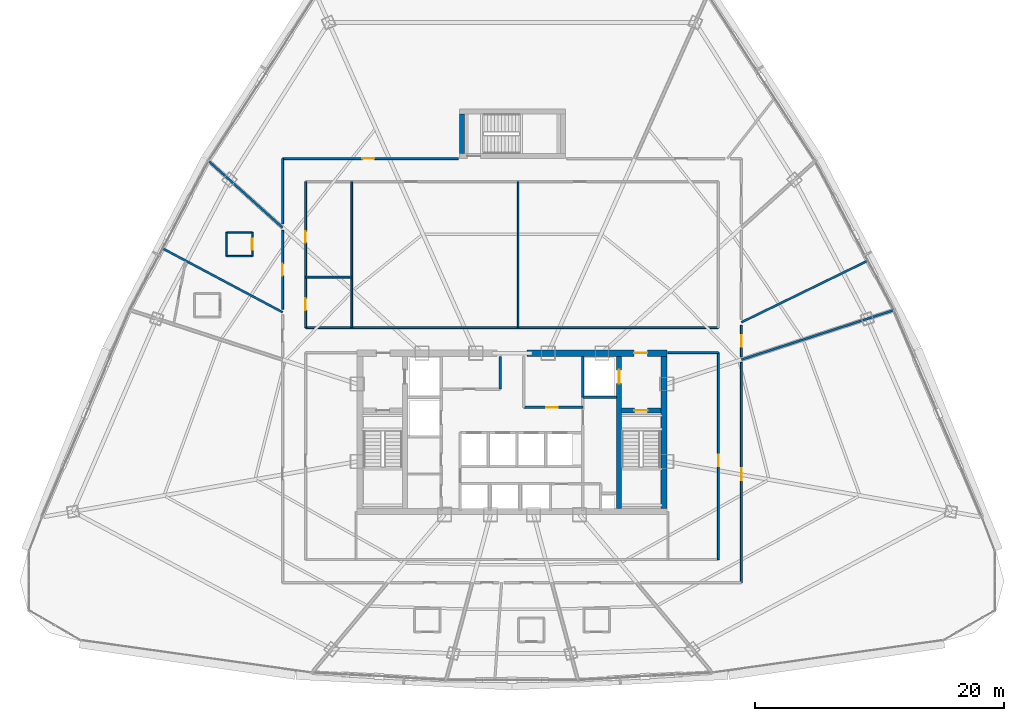
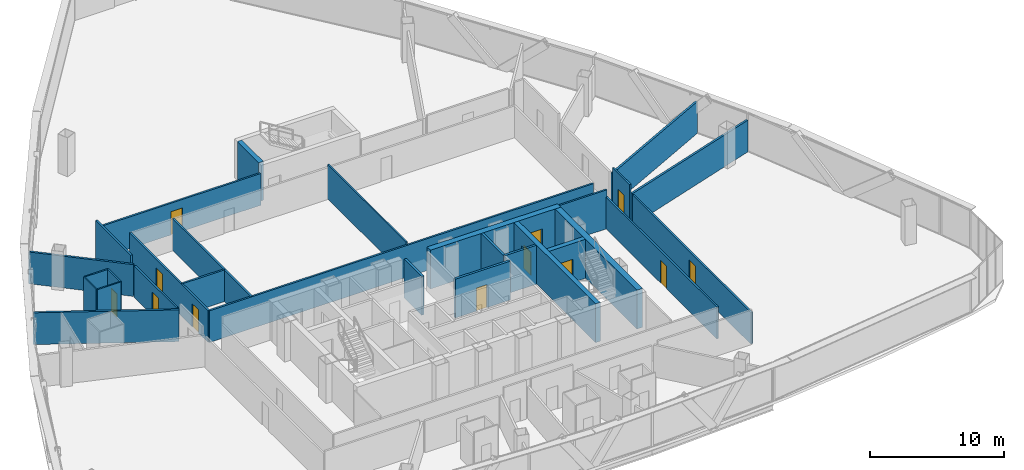
# One storey, part 34 of 40: 29 walls, 12 doors, 12 openings.
"""IFC4 building model written with IfcOpenShell, lengths in metres."""

from ifc_helpers import new_model, si_unit, direction, frame, frame_2d, origin, origin_with_axes, place, context, subcontext, project, spatial, rectangle, extrude, source, transform, mapped, material, layer, layer_set, type_object, element, fill, save


model = new_model("IFC4")

# Units and contexts
model_context = context("Model", 3, precision=1e-05, world=origin(), true_north=direction((0.0, 1.0)))
body_context = subcontext(model_context, "Body", "Model", "MODEL_VIEW")
ifc_project = project(units=[si_unit("LENGTHUNIT", "METRE"), si_unit("AREAUNIT", "SQUARE_METRE"), si_unit("VOLUMEUNIT", "CUBIC_METRE"), si_unit("PLANEANGLEUNIT", "RADIAN"), si_unit("MASSUNIT", "GRAM", prefix="KILO"), si_unit("THERMODYNAMICTEMPERATUREUNIT", "KELVIN"), si_unit("POWERUNIT", "WATT")], contexts=[model_context])

# Site, building, storey
site_placement = place(None, origin())
site = spatial("IfcSite", under=ifc_project, at=site_placement, CompositionType="ELEMENT")
building_placement = place(site_placement, origin())
building = spatial("IfcBuilding", under=site, at=building_placement, Name="Yunzhuo Pagoda Commons", CompositionType="ELEMENT")
storey_placement = place(building_placement, frame((0.0, 0.0, 184.760009765625)))
storey = spatial("IfcBuildingStorey", under=building, at=storey_placement, Name="L46", CompositionType="ELEMENT", Elevation=184.760009765625)

# Wall, opening, door
ifc_material_1 = material(Name="Concrete C50", Category="concrete")
ifc_layer_1 = layer(ifc_material_1, 0.5)
ifc_layer_set_1 = layer_set([ifc_layer_1], Name="Concrete C50")
wall_type_1 = type_object("IfcWallType", Name="W-C03 Upper Core Shear Wall 500", PredefinedType="SHEAR", material=ifc_layer_set_1)
wall_1_placement = place(storey_placement, frame((49.199951171875, 40.199951171875, 0.0), z_axis=(0.0, 0.0, 1.0), x_axis=(1.0, 0.0, 0.0)))
wall_1 = element("IfcWall", 1, at=wall_1_placement, inside=storey, type_object=wall_type_1, Name="L46 core shear wall NE", PredefinedType="SHEAR", context=body_context, shape_type="SweptSolid", body=[
    extrude(rectangle(XDim=11.25, YDim=0.5, at=frame_2d((5.625, 0.0))), origin(), (0.0, 0.0, 1.0), 3.5400390625),
])
opening_1_placement = place(wall_1_placement, frame((8.60009765625, 0.0, 0.0)))
opening_1 = element("IfcOpeningElement", 2, at=opening_1_placement, cuts=wall_1, Name="Opening D-02", PredefinedType="OPENING", context=body_context, shape_type="SweptSolid", body=[
    extrude(rectangle(XDim=1.050048828125, YDim=2.10009765625, at=frame_2d((0.52490234375, 1.050048828125))), frame((0.0, 0.260009765625, 0.0), z_axis=(0.0, -1.0, 0.0), x_axis=(1.0, 0.0, 0.0)), (0.0, 0.0, 1.0), 0.52001953125),
])
ifc_material_2 = material(Name="Galvanized fire-resisting metal leaf")
door_type_1 = type_object("IfcDoorType", Name="D-02 Firefighting Lobby & Refuge Fire Door 1050x2100", OperationType="NOTDEFINED", PredefinedType="DOOR", material=ifc_material_2)
shared_shape_1 = source(origin(), body_context, "Body", "SweptSolid", [
    extrude(rectangle(XDim=1.050048828125, YDim=2.10009765625, at=frame_2d((0.52490234375, 1.050048828125))), frame((0.0, 0.02490234375, 0.0), z_axis=(0.0, -1.0, 0.0), x_axis=(1.0, 0.0, 0.0)), (0.0, 0.0, 1.0), 0.050048828125),
])
door_1_placement = place(opening_1_placement, frame((1.050048828125, 0.0, 0.0), z_axis=(0.0, 0.0, 1.0), x_axis=(-1.0, 0.0, 0.0)))
door_1 = element("IfcDoor", 3, at=door_1_placement, inside=storey, type_object=door_type_1, Name="L46 Firefighting Lobby 2 fire door", OperationType="SINGLE_SWING_RIGHT", OverallHeight=2.10009765625, OverallWidth=1.050048828125, PredefinedType="DOOR", context=body_context, shape_type="MappedRepresentation", body=[
    mapped(shared_shape_1, transform((0.0, 0.0, 0.0), scale=1.0)),
])
fill(opening_1, door_1)

# Walls
wall_2_placement = place(storey_placement, frame((60.199951171875, 27.75, 0.0), z_axis=(0.0, 0.0, 1.0), x_axis=(0.0, 1.0, 0.0)))
element("IfcWall", 4, at=wall_2_placement, inside=storey, type_object=wall_type_1, Name="L46 core shear wall E", PredefinedType="SHEAR", context=body_context, shape_type="SweptSolid", body=[
    extrude(rectangle(XDim=12.199951171875, YDim=0.5, at=frame_2d((6.10009765625, 0.0))), origin(), (0.0, 0.0, 1.0), 3.5400390625),
])
ifc_material_3 = material(Name="Gypsum plasterboard on acoustic stud")
ifc_layer_2 = layer(ifc_material_3, 0.155029296875)
ifc_layer_set_2 = layer_set([ifc_layer_2], Name="Gypsum plasterboard on acoustic stud")
wall_type_2 = type_object("IfcWallType", Name="W-COR2 Mid-Zone Rated Corridor Wall 155", PredefinedType="PARTITIONING", material=ifc_layer_set_2)
wall_3_placement = place(storey_placement, frame((31.449951171875, 42.25, 0.0), z_axis=(0.0, 0.0, 1.0), x_axis=(1.0, 0.0, 0.0)))
element("IfcWall", 5, at=wall_3_placement, inside=storey, type_object=wall_type_2, Name="L46 interior wall IW-L46-MCNS", PredefinedType="PARTITIONING", context=body_context, shape_type="SweptSolid", body=[
    extrude(rectangle(XDim=33.10009765625, YDim=0.155029296875, at=frame_2d((16.550048828125, 0.0))), origin(), (0.0, 0.0, 1.0), 2.889892578125),
])

# Wall, openings, doors
wall_4_placement = place(storey_placement, frame((31.449951171875, 42.25, 0.0), z_axis=(0.0, 0.0, 1.0), x_axis=(0.0, 1.0, 0.0)))
wall_4 = element("IfcWall", 6, at=wall_4_placement, inside=storey, type_object=wall_type_2, Name="L46 interior wall IW-L46-MCNW", PredefinedType="PARTITIONING", context=body_context, shape_type="SweptSolid", body=[
    extrude(rectangle(XDim=11.699951171875, YDim=0.155029296875, at=frame_2d((5.85009765625, 0.0))), origin(), (0.0, 0.0, 1.0), 2.889892578125),
])
opening_2_placement = place(wall_4_placement, frame((1.39990234375, 0.0, 0.0)))
opening_2 = element("IfcOpeningElement", 7, at=opening_2_placement, cuts=wall_4, Name="Opening D-11", PredefinedType="OPENING", context=body_context, shape_type="SweptSolid", body=[
    extrude(rectangle(XDim=0.93994140625, YDim=2.10009765625, at=frame_2d((0.469970703125, 1.050048828125))), frame((0.0, 0.08740234375, 0.0), z_axis=(0.0, -1.0, 0.0), x_axis=(1.0, 0.0, 0.0)), (0.0, 0.0, 1.0), 0.175048828125),
])
opening_3_placement = place(wall_4_placement, frame((6.800048828125, 0.0, 0.0)))
opening_3 = element("IfcOpeningElement", 8, at=opening_3_placement, cuts=wall_4, Name="Opening D-04", PredefinedType="OPENING", context=body_context, shape_type="SweptSolid", body=[
    extrude(rectangle(XDim=0.919921875, YDim=2.10009765625, at=frame_2d((0.4599609375, 1.050048828125))), frame((0.0, 0.08740234375, 0.0), z_axis=(0.0, -1.0, 0.0), x_axis=(1.0, 0.0, 0.0)), (0.0, 0.0, 1.0), 0.175048828125),
])
door_type_2 = type_object("IfcDoorType", Name="D-11 Accessible Washroom Fire Door 940x2100", OperationType="NOTDEFINED", PredefinedType="DOOR", material=ifc_material_2)
shared_shape_2 = source(origin(), body_context, "Body", "SweptSolid", [
    extrude(rectangle(XDim=0.93994140625, YDim=2.10009765625, at=frame_2d((0.469970703125, 1.050048828125))), frame((0.0, 0.02490234375, 0.0), z_axis=(0.0, -1.0, 0.0), x_axis=(1.0, 0.0, 0.0)), (0.0, 0.0, 1.0), 0.050048828125),
])
door_2_placement = place(opening_2_placement, origin_with_axes())
door_2 = element("IfcDoor", 9, at=door_2_placement, inside=storey, type_object=door_type_2, Name="L46 accessible WC door", OperationType="SINGLE_SWING_LEFT", OverallHeight=2.10009765625, OverallWidth=0.93994140625, PredefinedType="DOOR", context=body_context, shape_type="MappedRepresentation", body=[
    mapped(shared_shape_2, transform((0.0, 0.0, 0.0), scale=1.0)),
])
fill(opening_2, door_2)
ifc_material_4 = material(Name="Powder-coated aluminium and timber acoustic leaf", Category="wood")
door_type_3 = type_object("IfcDoorType", Name="D-04 Bedroom & Study Interior Door 920x2100", OperationType="NOTDEFINED", PredefinedType="DOOR", material=ifc_material_4)
shared_shape_3 = source(origin(), body_context, "Body", "SweptSolid", [
    extrude(rectangle(XDim=0.919921875, YDim=2.10009765625, at=frame_2d((0.4599609375, 1.050048828125))), frame((0.0, 0.02490234375, 0.0), z_axis=(0.0, -1.0, 0.0), x_axis=(1.0, 0.0, 0.0)), (0.0, 0.0, 1.0), 0.050048828125),
])
door_3_placement = place(opening_3_placement, origin_with_axes())
door_3 = element("IfcDoor", 10, at=door_3_placement, inside=storey, type_object=door_type_3, Name="L46 laundry door", OperationType="SINGLE_SWING_RIGHT", OverallHeight=2.10009765625, OverallWidth=0.919921875, PredefinedType="DOOR", context=body_context, shape_type="MappedRepresentation", body=[
    mapped(shared_shape_3, transform((0.0, 0.0, 0.0), scale=1.0)),
])
fill(opening_3, door_3)

# Walls
wall_5_placement = place(storey_placement, frame((35.14990234375, 42.25, 0.0), z_axis=(0.0, 0.0, 1.0), x_axis=(0.0, 1.0, 0.0)))
element("IfcWall", 11, at=wall_5_placement, inside=storey, type_object=wall_type_2, Name="L46 interior wall IW-L46-MCWCE", PredefinedType="PARTITIONING", context=body_context, shape_type="SweptSolid", body=[
    extrude(rectangle(XDim=11.699951171875, YDim=0.155029296875, at=frame_2d((5.85009765625, 0.0))), origin(), (0.0, 0.0, 1.0), 2.889892578125),
])
wall_6_placement = place(storey_placement, frame((31.449951171875, 46.300048828125, 0.0), z_axis=(0.0, 0.0, 1.0), x_axis=(1.0, 0.0, 0.0)))
element("IfcWall", 12, at=wall_6_placement, inside=storey, type_object=wall_type_2, Name="L46 interior wall IW-L46-MCWCN", PredefinedType="PARTITIONING", context=body_context, shape_type="SweptSolid", body=[
    extrude(rectangle(XDim=3.699951171875, YDim=0.155029296875, at=frame_2d((1.85009765625, 0.0))), origin(), (0.0, 0.0, 1.0), 2.889892578125),
])

# Wall, opening, door
wall_7_placement = place(storey_placement, frame((64.550048828125, 23.64990234375, 0.0), z_axis=(0.0, 0.0, 1.0), x_axis=(0.0, 1.0, 0.0)))
wall_7 = element("IfcWall", 13, at=wall_7_placement, inside=storey, type_object=wall_type_2, Name="L46 interior wall IW-L46-SFLE", PredefinedType="PARTITIONING", context=body_context, shape_type="SweptSolid", body=[
    extrude(rectangle(XDim=16.60009765625, YDim=0.155029296875, at=frame_2d((8.300048828125, 0.0))), origin(), (0.0, 0.0, 1.0), 2.889892578125),
])
opening_4_placement = place(wall_7_placement, frame((7.5, 0.0, 0.0)))
opening_4 = element("IfcOpeningElement", 14, at=opening_4_placement, cuts=wall_7, Name="Opening D-12", PredefinedType="OPENING", context=body_context, shape_type="SweptSolid", body=[
    extrude(rectangle(XDim=0.89990234375, YDim=2.080078125, at=frame_2d((0.449951171875, 1.0400390625))), frame((0.0, 0.08740234375, 0.0), z_axis=(0.0, -1.0, 0.0), x_axis=(1.0, 0.0, 0.0)), (0.0, 0.0, 1.0), 0.175048828125),
])
door_type_4 = type_object("IfcDoorType", Name="D-12 Quiet Study Interior Door 900x2080", OperationType="NOTDEFINED", PredefinedType="DOOR", material=ifc_material_4)
shared_shape_4 = source(origin(), body_context, "Body", "SweptSolid", [
    extrude(rectangle(XDim=0.89990234375, YDim=2.080078125, at=frame_2d((0.449951171875, 1.0400390625))), frame((0.0, 0.02490234375, 0.0), z_axis=(0.0, -1.0, 0.0), x_axis=(1.0, 0.0, 0.0)), (0.0, 0.0, 1.0), 0.050048828125),
])
door_4_placement = place(opening_4_placement, frame((0.89990234375, 0.0, 0.0), z_axis=(0.0, 0.0, 1.0), x_axis=(-1.0, 0.0, 0.0)))
door_4 = element("IfcDoor", 15, at=door_4_placement, inside=storey, type_object=door_type_4, Name="L46 east study workroom door", OperationType="SINGLE_SWING_RIGHT", OverallHeight=2.080078125, OverallWidth=0.89990234375, PredefinedType="DOOR", context=body_context, shape_type="MappedRepresentation", body=[
    mapped(shared_shape_4, transform((0.0, 0.0, 0.0), scale=1.0)),
])
fill(opening_4, door_4)

# Wall
wall_8_placement = place(storey_placement, frame((60.5, 40.25, 0.0), z_axis=(0.0, 0.0, 1.0), x_axis=(1.0, 0.0, 0.0)))
element("IfcWall", 16, at=wall_8_placement, inside=storey, type_object=wall_type_2, Name="L46 interior wall IW-L46-SFLNE", PredefinedType="PARTITIONING", context=body_context, shape_type="SweptSolid", body=[
    extrude(rectangle(XDim=4.050048828125, YDim=0.155029296875, at=frame_2d((2.02490234375, 0.0))), origin(), (0.0, 0.0, 1.0), 3.5400390625),
])

# Wall, opening, door
wall_9_placement = place(storey_placement, frame((29.60009765625, 43.732666015625, 0.0), z_axis=(0.0, 0.0, 1.0), x_axis=(0.0, 1.0, 0.0)))
wall_9 = element("IfcWall", 17, at=wall_9_placement, inside=storey, type_object=wall_type_2, Name="L46 interior wall IW-L46-CWL03", PredefinedType="PARTITIONING", context=body_context, shape_type="SweptSolid", body=[
    extrude(rectangle(XDim=6.31494140625, YDim=0.155029296875, at=frame_2d((3.157470703125, 0.0))), origin(), (0.0, 0.0, 1.0), 2.889892578125),
])
opening_5_placement = place(wall_9_placement, frame((2.667724609375, 0.0, 0.0)))
opening_5 = element("IfcOpeningElement", 18, at=opening_5_placement, cuts=wall_9, Name="Opening D-07", PredefinedType="OPENING", context=body_context, shape_type="SweptSolid", body=[
    extrude(rectangle(XDim=0.9599609375, YDim=2.1201171875, at=frame_2d((0.47998046875, 1.06005859375))), frame((0.0, 0.08740234375, 0.0), z_axis=(0.0, -1.0, 0.0), x_axis=(1.0, 0.0, 0.0)), (0.0, 0.0, 1.0), 0.175048828125),
])
door_type_5 = type_object("IfcDoorType", Name="D-07 Mid-Zone Suite Entrance Fire Door 960x2120", OperationType="NOTDEFINED", PredefinedType="DOOR", material=ifc_material_2)
shared_shape_5 = source(origin(), body_context, "Body", "SweptSolid", [
    extrude(rectangle(XDim=0.9599609375, YDim=2.1201171875, at=frame_2d((0.47998046875, 1.06005859375))), frame((0.0, 0.02490234375, 0.0), z_axis=(0.0, -1.0, 0.0), x_axis=(1.0, 0.0, 0.0)), (0.0, 0.0, 1.0), 0.050048828125),
])
door_5_placement = place(opening_5_placement, origin_with_axes())
door_5 = element("IfcDoor", 19, at=door_5_placement, inside=storey, type_object=door_type_5, Name="L46 unit 06 entrance door", OperationType="SINGLE_SWING_RIGHT", OverallHeight=2.1201171875, OverallWidth=0.9599609375, PredefinedType="DOOR", context=body_context, shape_type="MappedRepresentation", body=[
    mapped(shared_shape_5, transform((0.0, 0.0, 0.0), scale=1.0)),
])
fill(opening_5, door_5)

# Wall
wall_10_placement = place(storey_placement, frame((29.60009765625, 50.5634765625, 0.0), z_axis=(0.0, 0.0, 1.0), x_axis=(0.0, 1.0, 0.0)))
element("IfcWall", 20, at=wall_10_placement, inside=storey, type_object=wall_type_2, Name="L46 interior wall IW-L46-CWL04", PredefinedType="PARTITIONING", context=body_context, shape_type="SweptSolid", body=[
    extrude(rectangle(XDim=5.236572265625, YDim=0.155029296875, at=frame_2d((2.6181640625, 0.0))), origin(), (0.0, 0.0, 1.0), 3.5400390625),
])

# Wall, opening, door
wall_11_placement = place(storey_placement, frame((29.60009765625, 55.800048828125, 0.0), z_axis=(0.0, 0.0, 1.0), x_axis=(1.0, 0.0, 0.0)))
wall_11 = element("IfcWall", 21, at=wall_11_placement, inside=storey, type_object=wall_type_2, Name="L46 interior wall IW-L46-CWL05", PredefinedType="PARTITIONING", context=body_context, shape_type="SweptSolid", body=[
    extrude(rectangle(XDim=14.10888671875, YDim=0.155029296875, at=frame_2d((7.054443359375, 0.0))), origin(), (0.0, 0.0, 1.0), 2.889892578125),
])
opening_6_placement = place(wall_11_placement, frame((6.385009765625, 0.0, 0.0)))
opening_6 = element("IfcOpeningElement", 22, at=opening_6_placement, cuts=wall_11, Name="Opening D-07", PredefinedType="OPENING", context=body_context, shape_type="SweptSolid", body=[
    extrude(rectangle(XDim=0.9599609375, YDim=2.1201171875, at=frame_2d((0.47998046875, 1.06005859375))), frame((0.0, 0.08740234375, 0.0), z_axis=(0.0, -1.0, 0.0), x_axis=(1.0, 0.0, 0.0)), (0.0, 0.0, 1.0), 0.175048828125),
])
door_6_placement = place(opening_6_placement, origin_with_axes())
door_6 = element("IfcDoor", 23, at=door_6_placement, inside=storey, type_object=door_type_5, Name="L46 Shared Resident Kitchen and Pantry door", OperationType="SINGLE_SWING_LEFT", OverallHeight=2.1201171875, OverallWidth=0.9599609375, PredefinedType="DOOR", context=body_context, shape_type="MappedRepresentation", body=[
    mapped(shared_shape_5, transform((0.0, 0.0, 0.0), scale=1.0)),
])
fill(opening_6, door_6)

wall_12_placement = place(storey_placement, frame((66.39990234375, 42.45458984375, 0.0), z_axis=(0.0, 0.0, 1.0), x_axis=(0.0, -1.0, 0.0)))
wall_12 = element("IfcWall", 24, at=wall_12_placement, inside=storey, type_object=wall_type_2, Name="L46 interior wall IW-L46-CWL11", PredefinedType="PARTITIONING", context=body_context, shape_type="SweptSolid", body=[
    extrude(rectangle(XDim=2.544677734375, YDim=0.155029296875, at=frame_2d((1.2724609375, 0.0))), origin(), (0.0, 0.0, 1.0), 3.5400390625),
])
opening_7_placement = place(wall_12_placement, frame((0.818115234375, 0.0, 0.0)))
opening_7 = element("IfcOpeningElement", 25, at=opening_7_placement, cuts=wall_12, Name="Opening D-04", PredefinedType="OPENING", context=body_context, shape_type="SweptSolid", body=[
    extrude(rectangle(XDim=0.919921875, YDim=2.10009765625, at=frame_2d((0.4599609375, 1.050048828125))), frame((0.0, 0.08740234375, 0.0), z_axis=(0.0, -1.0, 0.0), x_axis=(1.0, 0.0, 0.0)), (0.0, 0.0, 1.0), 0.175048828125),
])
door_7_placement = place(opening_7_placement, origin_with_axes())
door_7 = element("IfcDoor", 26, at=door_7_placement, inside=storey, type_object=door_type_3, Name="L46 seminar room 01 door", OperationType="SINGLE_SWING_LEFT", OverallHeight=2.10009765625, OverallWidth=0.919921875, PredefinedType="DOOR", context=body_context, shape_type="MappedRepresentation", body=[
    mapped(shared_shape_3, transform((0.0, 0.0, 0.0), scale=1.0)),
])
fill(opening_7, door_7)

wall_13_placement = place(storey_placement, frame((66.39990234375, 39.458740234375, 0.0), z_axis=(0.0, 0.0, 1.0), x_axis=(0.0, -1.0, 0.0)))
wall_13 = element("IfcWall", 27, at=wall_13_placement, inside=storey, type_object=wall_type_2, Name="L46 interior wall IW-L46-CWL12", PredefinedType="PARTITIONING", context=body_context, shape_type="SweptSolid", body=[
    extrude(rectangle(XDim=17.65869140625, YDim=0.155029296875, at=frame_2d((8.829345703125, 0.0))), origin(), (0.0, 0.0, 1.0), 2.889892578125),
])
opening_8_placement = place(wall_13_placement, frame((8.474365234375, 0.0, 0.0)))
opening_8 = element("IfcOpeningElement", 28, at=opening_8_placement, cuts=wall_13, Name="Opening D-07", PredefinedType="OPENING", context=body_context, shape_type="SweptSolid", body=[
    extrude(rectangle(XDim=0.9599609375, YDim=2.1201171875, at=frame_2d((0.47998046875, 1.06005859375))), frame((0.0, 0.08740234375, 0.0), z_axis=(0.0, -1.0, 0.0), x_axis=(1.0, 0.0, 0.0)), (0.0, 0.0, 1.0), 0.175048828125),
])
door_8_placement = place(opening_8_placement, origin_with_axes())
door_8 = element("IfcDoor", 29, at=door_8_placement, inside=storey, type_object=door_type_5, Name="L46 Academic Reading Commons 2 door", OperationType="SINGLE_SWING_LEFT", OverallHeight=2.1201171875, OverallWidth=0.9599609375, PredefinedType="DOOR", context=body_context, shape_type="MappedRepresentation", body=[
    mapped(shared_shape_5, transform((0.0, 0.0, 0.0), scale=1.0)),
])
fill(opening_8, door_8)

# Walls
ifc_layer_3 = layer(ifc_material_3, 0.1201171875)
ifc_layer_set_3 = layer_set([ifc_layer_3], Name="Gypsum plasterboard on acoustic stud")
wall_type_3 = type_object("IfcWallType", Name="W-PRT1 Suite & Bathroom Partition 120", PredefinedType="PARTITIONING", material=ifc_layer_set_3)
wall_14_placement = place(storey_placement, frame((48.5, 42.25, 0.0), z_axis=(0.0, 0.0, 1.0), x_axis=(0.0, 1.0, 0.0)))
element("IfcWall", 30, at=wall_14_placement, inside=storey, type_object=wall_type_3, Name="L46 interior wall IW-L46-MCDIV", PredefinedType="PARTITIONING", context=body_context, shape_type="SweptSolid", body=[
    extrude(rectangle(XDim=11.699951171875, YDim=0.1201171875, at=frame_2d((5.85009765625, 0.0))), origin(), (0.0, 0.0, 1.0), 3.139892578125),
])
wall_15_placement = place(storey_placement, frame((25.1201171875, 47.98388671875, 0.0), z_axis=(0.0, 0.0, 1.0), x_axis=(1.0, 0.0, 0.0)))
element("IfcWall", 31, at=wall_15_placement, inside=storey, type_object=wall_type_3, Name="L46 interior wall IW-L46-B06S", PredefinedType="PARTITIONING", context=body_context, shape_type="SweptSolid", body=[
    extrude(rectangle(XDim=2.0498046875, YDim=0.1201171875, at=frame_2d((1.02490234375, 0.0))), origin(), (0.0, 0.0, 1.0), 3.5400390625),
])

# Wall, opening, door
wall_16_placement = place(storey_placement, frame((27.169921875, 47.98388671875, 0.0), z_axis=(0.0, 0.0, 1.0), x_axis=(0.0, 1.0, 0.0)))
wall_16 = element("IfcWall", 32, at=wall_16_placement, inside=storey, type_object=wall_type_3, Name="L46 interior wall IW-L46-B06E", PredefinedType="PARTITIONING", context=body_context, shape_type="SweptSolid", body=[
    extrude(rectangle(XDim=1.900146484375, YDim=0.1201171875, at=frame_2d((0.9501953125, 0.0))), origin(), (0.0, 0.0, 1.0), 3.5400390625),
])
opening_9_placement = place(wall_16_placement, frame((0.52490234375, 0.0, 0.0)))
opening_9 = element("IfcOpeningElement", 33, at=opening_9_placement, cuts=wall_16, Name="Opening D-05", PredefinedType="OPENING", context=body_context, shape_type="SweptSolid", body=[
    extrude(rectangle(XDim=0.85009765625, YDim=2.10009765625, at=frame_2d((0.425048828125, 1.050048828125))), frame((0.0, 0.070068359375, 0.0), z_axis=(0.0, -1.0, 0.0), x_axis=(1.0, 0.0, 0.0)), (0.0, 0.0, 1.0), 0.14013671875),
])
door_type_6 = type_object("IfcDoorType", Name="D-05 En-Suite Bathroom Door 850x2100", OperationType="NOTDEFINED", PredefinedType="DOOR", material=ifc_material_4)
shared_shape_6 = source(origin(), body_context, "Body", "SweptSolid", [
    extrude(rectangle(XDim=0.85009765625, YDim=2.10009765625, at=frame_2d((0.425048828125, 1.050048828125))), frame((0.0, 0.02490234375, 0.0), z_axis=(0.0, -1.0, 0.0), x_axis=(1.0, 0.0, 0.0)), (0.0, 0.0, 1.0), 0.050048828125),
])
door_9_placement = place(opening_9_placement, frame((0.85009765625, 0.0, 0.0), z_axis=(0.0, 0.0, 1.0), x_axis=(-1.0, 0.0, 0.0)))
door_9 = element("IfcDoor", 34, at=door_9_placement, inside=storey, type_object=door_type_6, Name="L46 unit 06 bathroom door", OperationType="SINGLE_SWING_RIGHT", OverallHeight=2.10009765625, OverallWidth=0.85009765625, PredefinedType="DOOR", context=body_context, shape_type="MappedRepresentation", body=[
    mapped(shared_shape_6, transform((0.0, 0.0, 0.0), scale=1.0)),
])
fill(opening_9, door_9)

# Walls
wall_17_placement = place(storey_placement, frame((27.169921875, 49.884033203125, 0.0), z_axis=(0.0, 0.0, 1.0), x_axis=(-1.0, 0.0, 0.0)))
element("IfcWall", 35, at=wall_17_placement, inside=storey, type_object=wall_type_3, Name="L46 interior wall IW-L46-B06N", PredefinedType="PARTITIONING", context=body_context, shape_type="SweptSolid", body=[
    extrude(rectangle(XDim=2.0498046875, YDim=0.1201171875, at=frame_2d((1.02490234375, 0.0))), origin(), (0.0, 0.0, 1.0), 3.5400390625),
])
wall_18_placement = place(storey_placement, frame((25.1201171875, 49.884033203125, 0.0), z_axis=(0.0, 0.0, 1.0), x_axis=(0.0, -1.0, 0.0)))
element("IfcWall", 36, at=wall_18_placement, inside=storey, type_object=wall_type_3, Name="L46 interior wall IW-L46-B06W", PredefinedType="PARTITIONING", context=body_context, shape_type="SweptSolid", body=[
    extrude(rectangle(XDim=1.900146484375, YDim=0.1201171875, at=frame_2d((0.9501953125, 0.0))), origin(), (0.0, 0.0, 1.0), 3.5400390625),
])
ifc_layer_4 = layer(ifc_material_3, 0.175048828125)
ifc_layer_set_4 = layer_set([ifc_layer_4], Name="Gypsum plasterboard on acoustic stud")
wall_type_4 = type_object("IfcWallType", Name="W-PRT3 Mid-Zone Demising Wall 175", PredefinedType="PARTITIONING", material=ifc_layer_set_4)
wall_19_placement = place(storey_placement, frame((66.39990234375, 39.678466796875, 0.0), z_axis=(0.0, 0.0, 1.0), x_axis=(0.951054689993, 0.309022615097, 0.0)))
element("IfcWall", 37, at=wall_19_placement, inside=storey, type_object=wall_type_4, Name="L46 interior wall IW-L46-RAD01", PredefinedType="PARTITIONING", context=body_context, shape_type="SweptSolid", body=[
    extrude(rectangle(XDim=12.875244140625, YDim=0.175048828125, at=frame_2d((6.4375, 0.0))), origin(), (0.0, 0.0, 1.0), 2.889892578125),
])
wall_20_placement = place(storey_placement, frame((66.39990234375, 42.67431640625, 0.0), z_axis=(0.0, 0.0, 1.0), x_axis=(0.898802099841, 0.438354634196, 0.0)))
element("IfcWall", 38, at=wall_20_placement, inside=storey, type_object=wall_type_4, Name="L46 interior wall IW-L46-RAD02", PredefinedType="PARTITIONING", context=body_context, shape_type="SweptSolid", body=[
    extrude(rectangle(XDim=11.293701171875, YDim=0.175048828125, at=frame_2d((5.64697265625, 0.0))), origin(), (0.0, 0.0, 1.0), 2.889892578125),
])
wall_21_placement = place(storey_placement, frame((29.60009765625, 50.267333984375, 0.0), z_axis=(0.0, 0.0, 1.0), x_axis=(-0.743139097079, 0.669136968335, 0.0)))
element("IfcWall", 39, at=wall_21_placement, inside=storey, type_object=wall_type_4, Name="L46 interior wall IW-L46-RAD06", PredefinedType="PARTITIONING", context=body_context, shape_type="SweptSolid", body=[
    extrude(rectangle(XDim=7.987060546875, YDim=0.175048828125, at=frame_2d((3.99365234375, 0.0))), origin(), (0.0, 0.0, 1.0), 2.889892578125),
])
wall_22_placement = place(storey_placement, frame((29.60009765625, 43.4833984375, 0.0), z_axis=(0.0, 0.0, 1.0), x_axis=(-0.882940086537, 0.469485679853, 0.0)))
element("IfcWall", 40, at=wall_22_placement, inside=storey, type_object=wall_type_4, Name="L46 interior wall IW-L46-RAD07", PredefinedType="PARTITIONING", context=body_context, shape_type="SweptSolid", body=[
    extrude(rectangle(XDim=10.910400390625, YDim=0.175048828125, at=frame_2d((5.455078125, 0.0))), origin(), (0.0, 0.0, 1.0), 2.889892578125),
])

# Wall, opening, door
ifc_material_5 = material(Name="Concrete C60", Category="concrete")
ifc_layer_5 = layer(ifc_material_5, 0.39990234375)
ifc_layer_set_5 = layer_set([ifc_layer_5], Name="Concrete C60")
wall_type_5 = type_object("IfcWallType", Name="W-S01 Internal Core Shear Web 400", PredefinedType="SHEAR", material=ifc_layer_set_5)
wall_23_placement = place(storey_placement, frame((56.60009765625, 27.75, 0.0), z_axis=(0.0, 0.0, 1.0), x_axis=(0.0, 1.0, 0.0)))
wall_23 = element("IfcWall", 41, at=wall_23_placement, inside=storey, type_object=wall_type_5, Name="L46 core shear wall WEBE", PredefinedType="SHEAR", context=body_context, shape_type="SweptSolid", body=[
    extrude(rectangle(XDim=12.199951171875, YDim=0.39990234375, at=frame_2d((6.10009765625, 0.0))), origin(), (0.0, 0.0, 1.0), 3.5400390625),
])
opening_10_placement = place(wall_23_placement, frame((10.0, 0.0, 0.0)))
opening_10 = element("IfcOpeningElement", 42, at=opening_10_placement, cuts=wall_23, Name="Opening LD-01", PredefinedType="OPENING", context=body_context, shape_type="SweptSolid", body=[
    extrude(rectangle(XDim=1.10009765625, YDim=2.10009765625, at=frame_2d((0.550048828125, 1.050048828125))), frame((0.0, 0.2099609375, 0.0), z_axis=(0.0, -1.0, 0.0), x_axis=(1.0, 0.0, 0.0)), (0.0, 0.0, 1.0), 0.419921875),
])
door_type_7 = type_object("IfcDoorType", Name="LD-01 Firefighting Lift Landing Door 1100x2100", OperationType="DOUBLE_DOOR_SLIDING", PredefinedType="DOOR", material=ifc_material_2)
shared_shape_7 = source(origin(), body_context, "Body", "SweptSolid", [
    extrude(rectangle(XDim=1.10009765625, YDim=2.10009765625, at=frame_2d((0.550048828125, 1.050048828125))), frame((0.0, 0.02490234375, 0.0), z_axis=(0.0, -1.0, 0.0), x_axis=(1.0, 0.0, 0.0)), (0.0, 0.0, 1.0), 0.050048828125),
])
door_10_placement = place(opening_10_placement, origin_with_axes())
door_10 = element("IfcDoor", 43, at=door_10_placement, inside=storey, type_object=door_type_7, Name="L46 Firefighting lift FL-2 landing door", OperationType="DOUBLE_DOOR_SLIDING", OverallHeight=2.10009765625, OverallWidth=1.10009765625, PredefinedType="DOOR", context=body_context, shape_type="MappedRepresentation", body=[
    mapped(shared_shape_7, transform((0.0, 0.0, 0.0), scale=1.0)),
])
fill(opening_10, door_10)

wall_24_placement = place(storey_placement, frame((56.800048828125, 35.60009765625, 0.0), z_axis=(0.0, 0.0, 1.0), x_axis=(1.0, 0.0, 0.0)))
wall_24 = element("IfcWall", 44, at=wall_24_placement, inside=storey, type_object=wall_type_5, Name="L46 core shear wall STE", PredefinedType="SHEAR", context=body_context, shape_type="SweptSolid", body=[
    extrude(rectangle(XDim=3.14990234375, YDim=0.39990234375, at=frame_2d((1.574951171875, 0.0))), origin(), (0.0, 0.0, 1.0), 3.5400390625),
])
opening_11_placement = place(wall_24_placement, frame((1.02001953125, 0.0, 0.0)))
opening_11 = element("IfcOpeningElement", 45, at=opening_11_placement, cuts=wall_24, Name="Opening D-01", PredefinedType="OPENING", context=body_context, shape_type="SweptSolid", body=[
    extrude(rectangle(XDim=1.050048828125, YDim=2.10009765625, at=frame_2d((0.52490234375, 1.050048828125))), frame((0.0, 0.2099609375, 0.0), z_axis=(0.0, -1.0, 0.0), x_axis=(1.0, 0.0, 0.0)), (0.0, 0.0, 1.0), 0.419921875),
])
door_type_8 = type_object("IfcDoorType", Name="D-01 Smokeproof Stair Fire Door 1050x2100", OperationType="NOTDEFINED", PredefinedType="DOOR", material=ifc_material_2)
door_11_placement = place(opening_11_placement, frame((1.050048828125, 0.0, 0.0), z_axis=(0.0, 0.0, 1.0), x_axis=(-1.0, 0.0, 0.0)))
door_11 = element("IfcDoor", 46, at=door_11_placement, inside=storey, type_object=door_type_8, Name="L46 Stair ST2 fire door", OperationType="SINGLE_SWING_RIGHT", OverallHeight=2.10009765625, OverallWidth=1.050048828125, PredefinedType="DOOR", context=body_context, shape_type="MappedRepresentation", body=[
    mapped(shared_shape_1, transform((0.0, 0.0, 0.0), scale=1.0)),
])
fill(opening_11, door_11)

# Walls
wall_25_placement = place(storey_placement, frame((44.0, 56.199951171875, 0.0), z_axis=(0.0, 0.0, 1.0), x_axis=(0.0, 1.0, 0.0)))
element("IfcWall", 47, at=wall_25_placement, inside=storey, type_object=wall_type_5, Name="L46 ST3 structural stair wall W", PredefinedType="SHEAR", context=body_context, shape_type="SweptSolid", body=[
    extrude(rectangle(XDim=3.199951171875, YDim=0.39990234375, at=frame_2d((1.60009765625, 0.0))), origin(), (0.0, 0.0, 1.0), 3.5400390625),
])
ifc_material_6 = material(Name="Concrete C40", Category="concrete")
ifc_layer_6 = layer(ifc_material_6, 0.199951171875)
ifc_layer_set_6 = layer_set([ifc_layer_6], Name="Concrete C40")
wall_type_6 = type_object("IfcWallType", Name="W-SHF Shaft & Stair Enclosure Wall 200", PredefinedType="SOLIDWALL", material=ifc_layer_set_6)
wall_26_placement = place(storey_placement, frame((53.679931640625, 36.64990234375, 0.0), z_axis=(0.0, 0.0, 1.0), x_axis=(0.0, 1.0, 0.0)))
element("IfcWall", 48, at=wall_26_placement, inside=storey, type_object=wall_type_6, Name="L46 interior wall IW-L46-FL2W", PredefinedType="SOLIDWALL", context=body_context, shape_type="SweptSolid", body=[
    extrude(rectangle(XDim=3.300048828125, YDim=0.199951171875, at=frame_2d((1.64990234375, 0.0))), origin(), (0.0, 0.0, 1.0), 3.5400390625),
])
wall_27_placement = place(storey_placement, frame((53.679931640625, 36.64990234375, 0.0), z_axis=(0.0, 0.0, 1.0), x_axis=(1.0, 0.0, 0.0)))
element("IfcWall", 49, at=wall_27_placement, inside=storey, type_object=wall_type_6, Name="L46 interior wall IW-L46-FL2S", PredefinedType="SOLIDWALL", context=body_context, shape_type="SweptSolid", body=[
    extrude(rectangle(XDim=2.719970703125, YDim=0.199951171875, at=frame_2d((1.35986328125, 0.0))), origin(), (0.0, 0.0, 1.0), 3.5400390625),
])

# Wall, opening, door
wall_28_placement = place(storey_placement, frame((48.949951171875, 35.85009765625, 0.0), z_axis=(0.0, 0.0, 1.0), x_axis=(1.0, 0.0, 0.0)))
wall_28 = element("IfcWall", 50, at=wall_28_placement, inside=storey, type_object=wall_type_6, Name="L46 interior wall IW-L46-LBNE", PredefinedType="SOLIDWALL", context=body_context, shape_type="SweptSolid", body=[
    extrude(rectangle(XDim=4.72998046875, YDim=0.199951171875, at=frame_2d((2.364990234375, 0.0))), origin(), (0.0, 0.0, 1.0), 3.5400390625),
])
opening_12_placement = place(wall_28_placement, frame((1.800048828125, 0.0, 0.0)))
opening_12 = element("IfcOpeningElement", 51, at=opening_12_placement, cuts=wall_28, Name="Opening D-03", PredefinedType="OPENING", context=body_context, shape_type="SweptSolid", body=[
    extrude(rectangle(XDim=0.89990234375, YDim=2.10009765625, at=frame_2d((0.449951171875, 1.050048828125))), frame((0.0, 0.10986328125, 0.0), z_axis=(0.0, -1.0, 0.0), x_axis=(1.0, 0.0, 0.0)), (0.0, 0.0, 1.0), 0.219970703125),
])
door_type_9 = type_object("IfcDoorType", Name="D-03 Core Service Fire Door 900x2100", OperationType="NOTDEFINED", PredefinedType="DOOR", material=ifc_material_2)
shared_shape_8 = source(origin(), body_context, "Body", "SweptSolid", [
    extrude(rectangle(XDim=0.89990234375, YDim=2.10009765625, at=frame_2d((0.449951171875, 1.050048828125))), frame((0.0, 0.02490234375, 0.0), z_axis=(0.0, -1.0, 0.0), x_axis=(1.0, 0.0, 0.0)), (0.0, 0.0, 1.0), 0.050048828125),
])
door_12_placement = place(opening_12_placement, frame((0.89990234375, 0.0, 0.0), z_axis=(0.0, 0.0, 1.0), x_axis=(-1.0, 0.0, 0.0)))
door_12 = element("IfcDoor", 52, at=door_12_placement, inside=storey, type_object=door_type_9, Name="L46 core east store door", OperationType="SINGLE_SWING_RIGHT", OverallHeight=2.10009765625, OverallWidth=0.89990234375, PredefinedType="DOOR", context=body_context, shape_type="MappedRepresentation", body=[
    mapped(shared_shape_8, transform((0.0, 0.0, 0.0), scale=1.0)),
])
fill(opening_12, door_12)

# Wall
wall_29_placement = place(storey_placement, frame((47.050048828125, 37.320068359375, 0.0), z_axis=(0.0, 0.0, 1.0), x_axis=(0.0, 1.0, 0.0)))
element("IfcWall", 53, at=wall_29_placement, inside=storey, type_object=wall_type_6, Name="L46 interior wall IW-L46-THRW", PredefinedType="SOLIDWALL", context=body_context, shape_type="SweptSolid", body=[
    extrude(rectangle(XDim=2.6298828125, YDim=0.199951171875, at=frame_2d((1.31494140625, 0.0))), origin(), (0.0, 0.0, 1.0), 3.5400390625),
])

save(model, "model.ifc")
